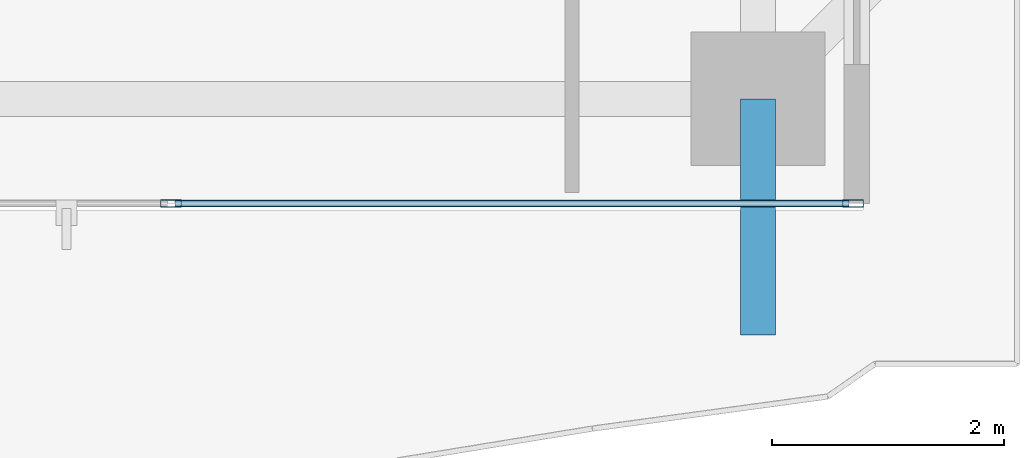
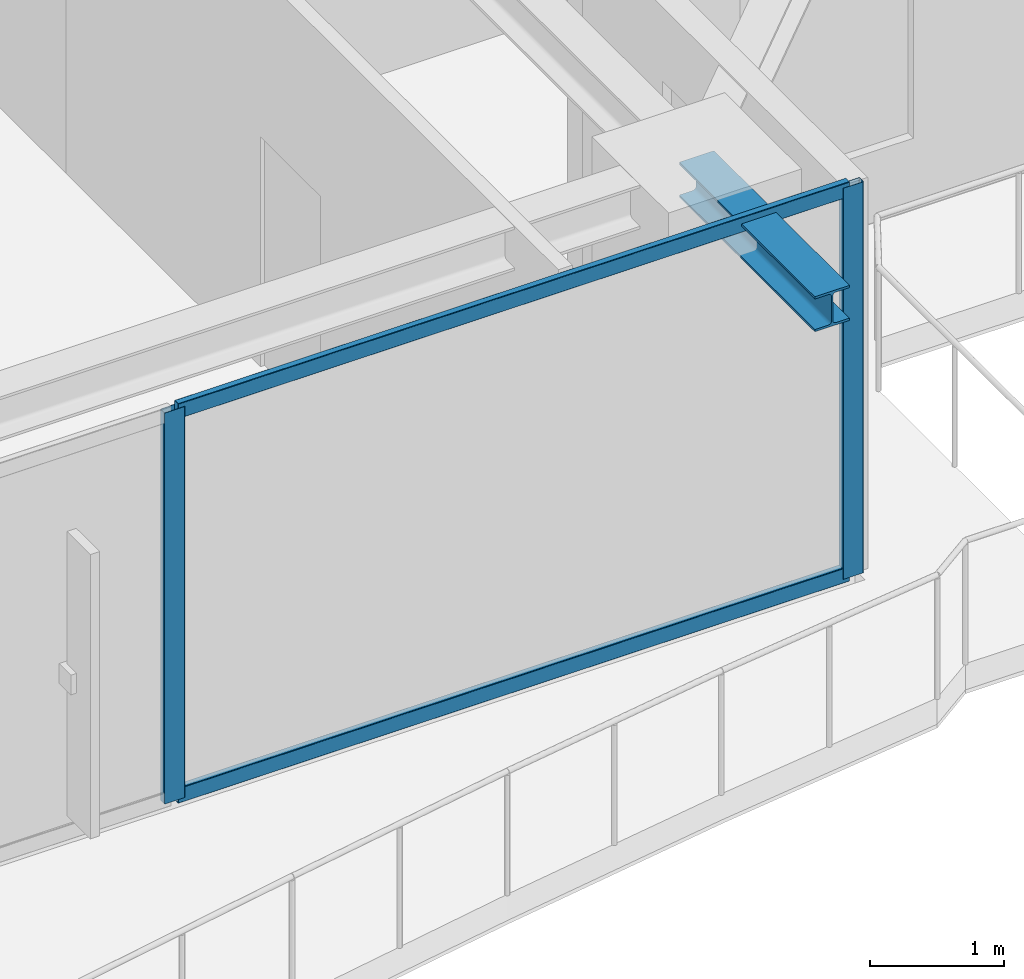
# One storey, part 11 of 37: 4 members, 1 beam, 1 element without a shape of its own.
"""IFC4 building model written with IfcOpenShell, lengths in metres."""

from ifc_helpers import new_model, si_unit, direction, frame, origin, origin_2d, place, context, subcontext, project, spatial, hollow_rectangle, i_section, extrude, source, transform, mapped, material, layer, layer_set, material_profile, profile_set, type_object, element, aggregate, save


model = new_model("IFC4")

# Units and contexts
model_context = context("Model", 3, precision=1e-05, world=origin(), true_north=direction((0.0, 1.0)))
body_context = subcontext(model_context, "Body", "Model", "MODEL_VIEW")
ifc_project = project(units=[si_unit("LENGTHUNIT", "METRE"), si_unit("AREAUNIT", "SQUARE_METRE"), si_unit("VOLUMEUNIT", "CUBIC_METRE"), si_unit("PLANEANGLEUNIT", "RADIAN"), si_unit("MASSUNIT", "GRAM", prefix="KILO")], contexts=[model_context])

# Site, building, storey
site_placement = place(None, origin())
site = spatial("IfcSite", under=ifc_project, at=site_placement, CompositionType="ELEMENT")
building_placement = place(site_placement, origin())
building = spatial("IfcBuilding", under=site, at=building_placement, Name="Serunith Strait Residences", CompositionType="ELEMENT")
storey_placement = place(building_placement, frame((0.0, 0.0, 275.89990234375)))
storey = spatial("IfcBuildingStorey", under=building, at=storey_placement, Name="L69", CompositionType="ELEMENT", Elevation=275.89990234375)

# Beam
ifc_material_1 = material(Name="Steel S355J2", Category="steel")
ifc_material_profile_1 = material_profile(ifc_material_1, i_section(OverallWidth=0.300048828125, OverallDepth=0.320068359375, WebThickness=0.011474609375, FlangeThickness=0.0205078125, FilletRadius=0.027099609375, at=origin_2d()), Name="HEB 320")
ifc_profile_set_1 = profile_set([ifc_material_profile_1], Name="Steel S355J2")
beam_type = type_object("IfcBeamType", Name="BM-HEB320", PredefinedType="BEAM", material=ifc_profile_set_1)
shared_shape_1 = source(origin(), body_context, "Body", "SweptSolid", [
    extrude(i_section(OverallWidth=0.300048828125, OverallDepth=0.320068359375, WebThickness=0.011474609375, FlangeThickness=0.0205078125, FilletRadius=0.027099609375, at=origin_2d()), origin(), (0.0, 0.0, 1.0), 2.030029296875),
])
beam_placement = place(storey_placement, frame((48.550048828125, 2.10009765625, 3.397216796875), z_axis=(0.0, -1.0, 0.0), x_axis=(1.0, 0.0, 0.0)))
element("IfcBeam", 1, at=beam_placement, inside=storey, type_object=beam_type, Name="L70 Cantilevered Balcony Rib TC-S4", PredefinedType="BEAM", context=body_context, shape_type="MappedRepresentation", body=[
    mapped(shared_shape_1, transform((0.0, 0.0, 0.0), scale=1.0)),
])

# Curtain wall, members
ifc_material_2 = material(Name="Pale-Champagne Anodised Aluminium", Category="aluminium")
ifc_layer = layer(ifc_material_2, 0.199951171875, Name="Pale-Champagne Anodised Aluminium")
ifc_layer_set = layer_set([ifc_layer], Name="Pale-Champagne Anodised Aluminium")
curtain_wall_type = type_object("IfcCurtainWallType", Name="CW-SYS4", PredefinedType="NOTDEFINED", material=ifc_layer_set)
curtain_wall_placement = place(storey_placement, origin())
curtain_wall = element("IfcCurtainWall", 2, at=curtain_wall_placement, inside=storey, type_object=curtain_wall_type, Name="L69 S Unitised Fritted Curtain Wall", PredefinedType="NOTDEFINED")
ifc_material_profile_2 = material_profile(ifc_material_2, hollow_rectangle(XDim=0.06494140625, YDim=0.179931640625, WallThickness=0.00341796875, InnerFilletRadius=0.00537109375, OuterFilletRadius=0.0087890625, at=origin_2d()), Name="ALU 180x65x3.5")
ifc_profile_set_2 = profile_set([ifc_material_profile_2], Name="Pale-Champagne Anodised Aluminium")
member_type_1 = type_object("IfcMemberType", Name="CW-SYS4-MULL", PredefinedType="MULLION", material=ifc_profile_set_2)
shared_shape_2 = source(origin(), body_context, "Body", "SweptSolid", [
    extrude(hollow_rectangle(XDim=0.06494140625, YDim=0.179931640625, WallThickness=0.00341796875, InnerFilletRadius=0.00537109375, OuterFilletRadius=0.0087890625, at=origin_2d()), origin(), (0.0, 0.0, 1.0), 3.5751953125),
])
member_1_placement = place(storey_placement, frame((43.5, 1.199951171875, 0.0), z_axis=(0.0, 0.0, 1.0), x_axis=(0.0, 1.0, 0.0)))
member_1 = element("IfcMember", 3, at=member_1_placement, type_object=member_type_1, Name="CW-4 mullion 3", PredefinedType="MULLION", context=body_context, shape_type="MappedRepresentation", body=[
    mapped(shared_shape_2, transform((0.0, 0.0, 0.0), scale=1.0)),
])
member_2_placement = place(storey_placement, frame((49.367431640625, 1.199951171875, 0.0), z_axis=(0.0, 0.0, 1.0), x_axis=(0.0, 1.0, 0.0)))
member_2 = element("IfcMember", 4, at=member_2_placement, type_object=member_type_1, Name="CW-4 mullion 4", PredefinedType="MULLION", context=body_context, shape_type="MappedRepresentation", body=[
    mapped(shared_shape_2, transform((0.0, 0.0, 0.0), scale=1.0)),
])
ifc_material_profile_3 = material_profile(ifc_material_2, hollow_rectangle(XDim=0.06005859375, YDim=0.139892578125, WallThickness=0.00341796875, InnerFilletRadius=0.00537109375, OuterFilletRadius=0.0087890625, at=origin_2d()), Name="ALU 140x60x3.5")
ifc_profile_set_3 = profile_set([ifc_material_profile_3], Name="Pale-Champagne Anodised Aluminium")
member_type_2 = type_object("IfcMemberType", Name="CW-SYS4-TRAN", PredefinedType="USERDEFINED", material=ifc_profile_set_3)
shared_shape_3 = source(origin(), body_context, "Body", "SweptSolid", [
    extrude(hollow_rectangle(XDim=0.06005859375, YDim=0.139892578125, WallThickness=0.00341796875, InnerFilletRadius=0.00537109375, OuterFilletRadius=0.0087890625, at=origin_2d()), origin(), (0.0, 0.0, 1.0), 5.802490234375),
])
member_3_placement = place(storey_placement, frame((43.532470703125, 1.199951171875, 0.030029296875), z_axis=(1.0, 0.0, 0.0), x_axis=(0.0, 1.0, 0.0)))
member_3 = element("IfcMember", 5, at=member_3_placement, type_object=member_type_2, Name="CW-4 transom 3.1", ObjectType="TRANSOM", PredefinedType="USERDEFINED", context=body_context, shape_type="MappedRepresentation", body=[
    mapped(shared_shape_3, transform((0.0, 0.0, 0.0), scale=1.0)),
])
member_4_placement = place(storey_placement, frame((43.532470703125, 1.199951171875, 3.545166015625), z_axis=(1.0, 0.0, 0.0), x_axis=(0.0, 1.0, 0.0)))
member_4 = element("IfcMember", 6, at=member_4_placement, type_object=member_type_2, Name="CW-4 transom 3.2", ObjectType="TRANSOM", PredefinedType="USERDEFINED", context=body_context, shape_type="MappedRepresentation", body=[
    mapped(shared_shape_3, transform((0.0, 0.0, 0.0), scale=1.0)),
])
aggregate(curtain_wall, [member_1, member_2, member_3, member_4])

save(model, "model.ifc")
